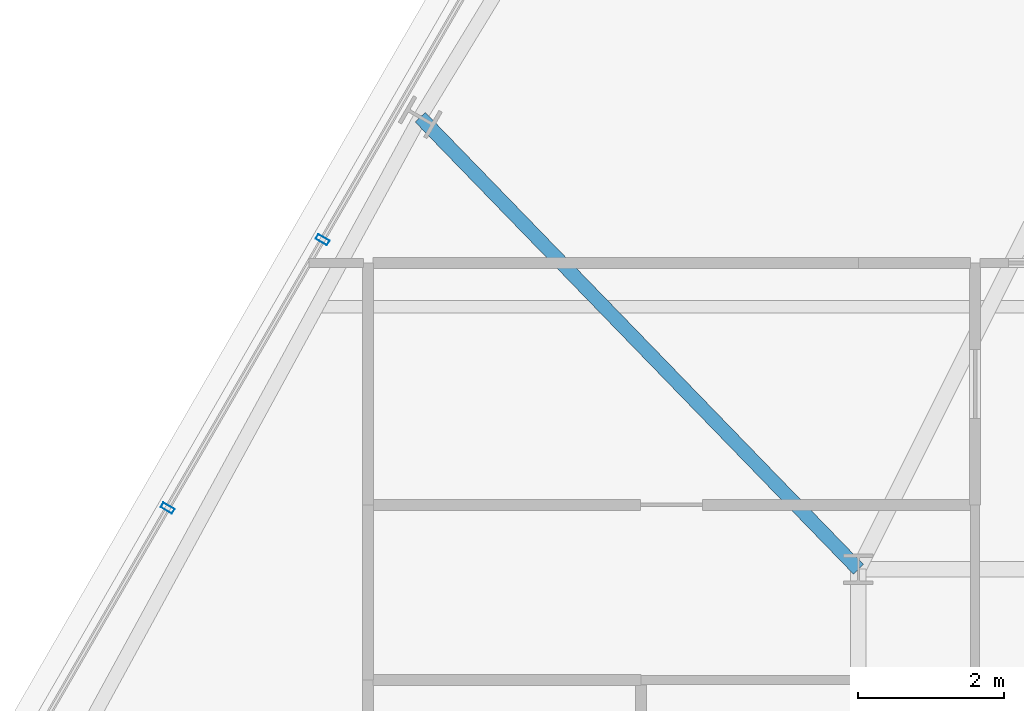
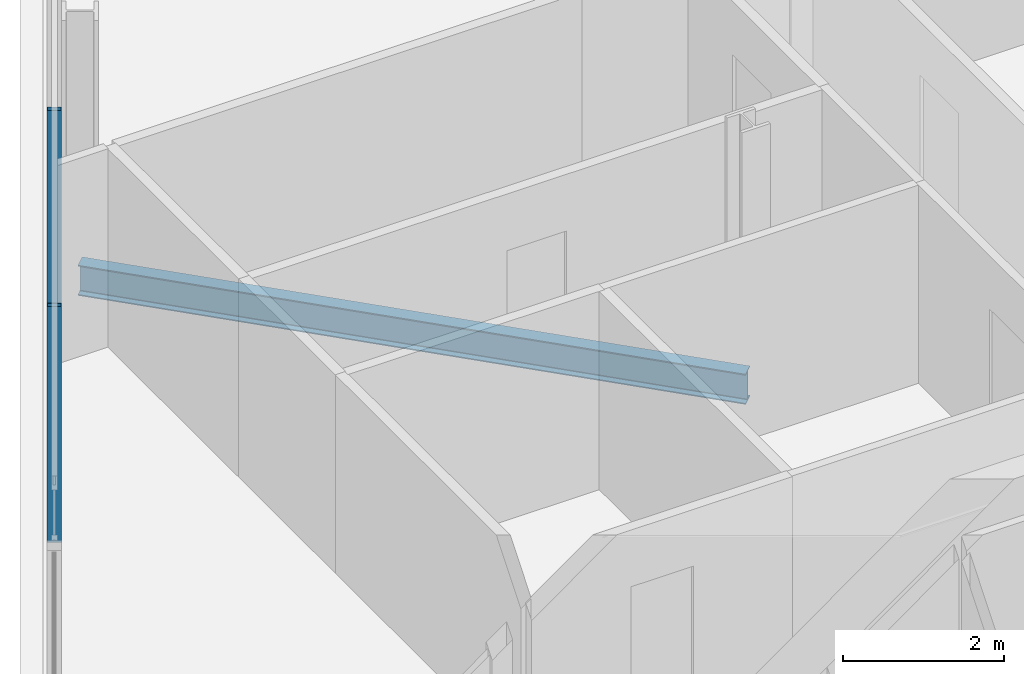
# One storey, part 10 of 34: 2 members, 1 beam, 1 element without a shape of its own.
"""IFC4 building model written with IfcOpenShell, lengths in metres."""

import ifcopenshell
import ifcopenshell.guid

model = None  # the IFC model being written
_history = None  # IfcOwnerHistory: only IFC2X3 demands one
_inside = {}  # id of a spatial element -> (the spatial element, [elements in it])
_under = {}  # id of a project, library or spatial element -> (it, [spatial elements below it])
_declared = {}  # id of a project -> (the project, [libraries it declares])
_typed = {}  # id of a type object -> (the type object, [elements of that type])
_made_of = {}  # id of a material, layer set ... -> (it, [elements and type objects made of it])


def new_model(schema):
    """Start an empty IFC model of exactly this schema.

    Asked for "IFC4X3", IfcOpenShell would pick the latest addendum, in which some entities
    have other attributes; the version numbers below select the first issue.
    IFC2X3 requires an IfcOwnerHistory on every rooted entity: one is made here for all.
    """
    global model, _history
    if schema == "IFC4X3":
        model = ifcopenshell.file(schema_version=(4, 3, 0, 0))
    else:
        model = ifcopenshell.file(schema=schema)
    _inside.clear()
    _under.clear()
    _declared.clear()
    _typed.clear()
    _made_of.clear()
    _history = None
    if model.schema == "IFC2X3":
        org = make("IfcOrganization", Name="unknown")
        user = make(
            "IfcPersonAndOrganization",
            ThePerson=make("IfcPerson", FamilyName="unknown"),
            TheOrganization=org,
        )
        app = make(
            "IfcApplication",
            ApplicationDeveloper=org,
            Version="unknown",
            ApplicationFullName="unknown",
            ApplicationIdentifier="unknown",
        )
        _history = make(
            "IfcOwnerHistory",
            OwningUser=user,
            OwningApplication=app,
            ChangeAction="ADDED",
            CreationDate=0,
        )
    return model


def make(cls, **values):
    """One entity of the class cls with the attributes given. An attribute that is None is left unset."""
    return model.create_entity(
        cls, **{name: value for name, value in values.items() if value is not None}
    )


def rooted(cls, **values):
    """An entity with a GlobalId (a new one), such as an element, a storey or a relation."""
    return make(cls, GlobalId=ifcopenshell.guid.new(), OwnerHistory=_history, **values)


def si_unit(unit_type, name, prefix=None):
    """IfcSIUnit, for example si_unit("LENGTHUNIT", "METRE", prefix="MILLI")."""
    return make("IfcSIUnit", UnitType=unit_type, Prefix=prefix, Name=name)


def assignment(units):
    """IfcUnitAssignment: the units of a project."""
    return None if units is None else make("IfcUnitAssignment", Units=units)


def point(xyz):
    """IfcCartesianPoint."""
    return None if xyz is None else make("IfcCartesianPoint", Coordinates=xyz)


def direction(xyz):
    """IfcDirection."""
    return None if xyz is None else make("IfcDirection", DirectionRatios=xyz)


def frame(location, z_axis=None, x_axis=None):
    """IfcAxis2Placement3D, a coordinate frame: its origin and axes. An axis left out is left unset."""
    return make(
        "IfcAxis2Placement3D",
        Location=point(location),
        Axis=direction(z_axis),
        RefDirection=direction(x_axis),
    )


def frame_2d(location, x_axis=None):
    """IfcAxis2Placement2D, a coordinate frame in the plane: its origin and x axis."""
    return make(
        "IfcAxis2Placement2D", Location=point(location), RefDirection=direction(x_axis)
    )


def origin():
    """The frame at (0, 0, 0) with its axes left unset."""
    return frame((0.0, 0.0, 0.0))


def origin_2d():
    """The frame at (0, 0) in the plane with its x axis left unset."""
    return frame_2d((0.0, 0.0))


def place(relative_to, where):
    """IfcLocalPlacement: puts the frame where relative to a parent placement (None: the world)."""
    return make(
        "IfcLocalPlacement", PlacementRelTo=relative_to, RelativePlacement=where
    )


def context(
    kind, dimensions, precision=None, world=None, true_north=None, identifier=None
):
    """IfcGeometricRepresentationContext, for example the 3D "Model" context."""
    return make(
        "IfcGeometricRepresentationContext",
        ContextIdentifier=identifier,
        ContextType=kind,
        CoordinateSpaceDimension=dimensions,
        Precision=precision,
        WorldCoordinateSystem=world,
        TrueNorth=true_north,
    )


def subcontext(parent, identifier, kind, view, scale=None):
    """IfcGeometricRepresentationSubContext, for example "Body" below "Model"."""
    return make(
        "IfcGeometricRepresentationSubContext",
        ContextIdentifier=identifier,
        ContextType=kind,
        ParentContext=parent,
        TargetScale=scale,
        TargetView=view,
    )


def project(units=None, contexts=None):
    """IfcProject with its units and contexts."""
    return rooted(
        "IfcProject",
        Name="project",
        RepresentationContexts=contexts,
        UnitsInContext=assignment(units),
    )


def spatial(cls, under=None, at=None, **own):
    """A site, building, storey or space (cls), placed at a placement, below another one or the project."""
    s = rooted(cls, ObjectPlacement=at, **own)
    if under is not None:
        _under.setdefault(under.id(), (under, []))[1].append(s)
    return s


def profile(cls, at=None, kind="AREA", **sizes):
    """A parametric profile (cls). Its sizes go by their IFC names, for example OverallWidth=200.0."""
    return make(cls, ProfileType=kind, Position=at, **sizes)


def hollow_rectangle(**sizes):
    """IfcRectangleHollowProfileDef."""
    return profile("IfcRectangleHollowProfileDef", **sizes)


def i_section(**sizes):
    """IfcIShapeProfileDef."""
    return profile("IfcIShapeProfileDef", **sizes)


def extrude(swept, where, along, depth):
    """IfcExtrudedAreaSolid: the profile swept, set in the frame where, extruded along a direction by depth."""
    return make(
        "IfcExtrudedAreaSolid",
        SweptArea=swept,
        Position=where,
        ExtrudedDirection=direction(along),
        Depth=depth,
    )


def shape(context_of_items, identifier, shape_type, items):
    """IfcShapeRepresentation: the items that make up one representation, for example the "Body"."""
    return make(
        "IfcShapeRepresentation",
        ContextOfItems=context_of_items,
        RepresentationIdentifier=identifier,
        RepresentationType=shape_type,
        Items=items,
    )


def material(Name=None, Category=None):
    """IfcMaterial."""
    return make("IfcMaterial", Name=Name, Category=Category)


def layer(
    of_material, thickness, ventilated=None, Name=None, Category=None, Priority=None
):
    """IfcMaterialLayer: one layer of a wall or slab, of a material (None: an air gap)."""
    return make(
        "IfcMaterialLayer",
        Material=of_material,
        LayerThickness=thickness,
        IsVentilated=ventilated,
        Name=Name,
        Category=Category,
        Priority=Priority,
    )


def layer_set(layers, Name=None):
    """IfcMaterialLayerSet."""
    return make("IfcMaterialLayerSet", MaterialLayers=layers, LayerSetName=Name)


def material_profile(
    of_material, cross_section, Name=None, Category=None, Priority=None
):
    """IfcMaterialProfile: a cross section and its material."""
    return make(
        "IfcMaterialProfile",
        Name=Name,
        Material=of_material,
        Profile=cross_section,
        Priority=Priority,
        Category=Category,
    )


def profile_set(profiles, Name=None, composite=None):
    """IfcMaterialProfileSet."""
    return make(
        "IfcMaterialProfileSet",
        Name=Name,
        MaterialProfiles=profiles,
        CompositeProfile=composite,
    )


def made_of(thing, what):
    """Note that an element or type object is made of a material, layer set ...; save() writes the relation."""
    if what is not None:
        _made_of.setdefault(what.id(), (what, []))[1].append(thing)
    return thing


def type_object(cls, material=None, **own):
    """A type object (cls), such as IfcWallType, which elements share."""
    return made_of(rooted(cls, **own), material)


def element(
    cls,
    number,
    at=None,
    inside=None,
    cuts=None,
    type_object=None,
    material=None,
    context=None,
    identifier="Body",
    shape_type=None,
    held_by="IfcProductDefinitionShape",
    body=None,
    shapes=None,
    **own,
):
    """One element of the class cls, such as IfcWall. Its Tag is "e" and its number.

    at: its placement. inside: the storey or other place that contains it. cuts: it is an
    opening in that element (IfcRelVoidsElement). A single representation is given by context,
    identifier, shape_type and body (its items); several are given by shapes. held_by: the class
    of the entity that holds the representations. save() writes the other relations.
    """
    e = rooted(cls, Tag="e%d" % number, ObjectPlacement=at, **own)
    if body is not None:
        shapes = [shape(context, identifier, shape_type, body)]
    if shapes is not None:
        e.Representation = make(held_by, Representations=shapes)
    if inside is not None:
        _inside.setdefault(inside.id(), (inside, []))[1].append(e)
    if cuts is not None:
        rooted(
            "IfcRelVoidsElement", RelatingBuildingElement=cuts, RelatedOpeningElement=e
        )
    if type_object is not None:
        _typed.setdefault(type_object.id(), (type_object, []))[1].append(e)
    return made_of(e, material)


def aggregate(whole, parts):
    """IfcRelAggregates: a whole, such as a stair, and the parts it consists of."""
    return rooted("IfcRelAggregates", RelatingObject=whole, RelatedObjects=parts)


def save(model, path):
    """Write the relations noted so far, then the file.

    IfcRelAggregates (storeys below a building ...), IfcRelContainedInSpatialStructure (elements
    in a storey), IfcRelDefinesByType, IfcRelAssociatesMaterial and IfcRelDeclares: one each for
    every whole, place, type object, material and project.
    """
    for whole, parts in _under.values():
        aggregate(whole, parts)
    for where, things in _inside.values():
        rooted(
            "IfcRelContainedInSpatialStructure",
            RelatedElements=things,
            RelatingStructure=where,
        )
    for kind, things in _typed.values():
        rooted("IfcRelDefinesByType", RelatedObjects=things, RelatingType=kind)
    for what, things in _made_of.values():
        rooted("IfcRelAssociatesMaterial", RelatedObjects=things, RelatingMaterial=what)
    for by, libraries in _declared.values():
        rooted("IfcRelDeclares", RelatingContext=by, RelatedDefinitions=libraries)
    model.write(path)


model = new_model("IFC4")

# Units and contexts
model_context = context("Model", 3, precision=1e-05, world=origin(), true_north=direction((0.0, 1.0)))
body_context = subcontext(model_context, "Body", "Model", "MODEL_VIEW")
ifc_project = project(units=[si_unit("LENGTHUNIT", "METRE"), si_unit("AREAUNIT", "SQUARE_METRE"), si_unit("VOLUMEUNIT", "CUBIC_METRE"), si_unit("PLANEANGLEUNIT", "RADIAN"), si_unit("MASSUNIT", "GRAM", prefix="KILO")], contexts=[model_context])

# Site, building, storey
site_placement = place(None, origin())
site = spatial("IfcSite", under=ifc_project, at=site_placement, CompositionType="ELEMENT")
building_placement = place(site_placement, origin())
building = spatial("IfcBuilding", under=site, at=building_placement, Name="Ndaravel Arena Tower", CompositionType="ELEMENT")
storey_placement = place(building_placement, frame((0.0, 0.0, 191.60009765625)))
storey = spatial("IfcBuildingStorey", under=building, at=storey_placement, Name="L46", CompositionType="ELEMENT", Elevation=191.60009765625)

# Beam
ifc_material_1 = material(Name="Steel S355", Category="steel")
ifc_material_profile_1 = material_profile(ifc_material_1, i_section(OverallWidth=0.19140625, OverallDepth=0.4599609375, WebThickness=0.010009765625, FlangeThickness=0.01611328125, FilletRadius=0.01025390625, at=origin_2d()), Name="UB 457x191x82")
ifc_profile_set_1 = profile_set([ifc_material_profile_1], Name="Steel S355")
beam_type = type_object("IfcBeamType", Name="BM-GIRD-UB457", PredefinedType="BEAM", material=ifc_profile_set_1)
beam_placement = place(storey_placement, frame((28.189697265625, 29.400146484375, -0.4501953125), z_axis=(0.696023073464, -0.718019415619, 0.0), x_axis=(0.718019415619, 0.696023073464, 0.0)))
element("IfcBeam", 1, at=beam_placement, inside=storey, type_object=beam_type, Name="L46 Radial Floor Girder FG-19", PredefinedType="BEAM", context=body_context, shape_type="SweptSolid", body=[
    extrude(i_section(OverallWidth=0.19140625, OverallDepth=0.4599609375, WebThickness=0.010009765625, FlangeThickness=0.01611328125, FilletRadius=0.01025390625, at=origin_2d()), origin(), (0.0, 0.0, 1.0), 8.63525390625),
])

# Curtain wall, members
ifc_material_2 = material(Name="Aluminium", Category="aluminium")
ifc_layer = layer(ifc_material_2, 0.179931640625)
ifc_layer_set = layer_set([ifc_layer], Name="Aluminium")
curtain_wall_type = type_object("IfcCurtainWallType", Name="CW-SYS-03", PredefinedType="NOTDEFINED", material=ifc_layer_set)
curtain_wall_placement = place(storey_placement, origin())
curtain_wall = element("IfcCurtainWall", 2, at=curtain_wall_placement, inside=storey, type_object=curtain_wall_type, Name="L46 Faceted Crystal Curtain Wall CW-L46-E05", PredefinedType="NOTDEFINED")
ifc_material_3 = material(Name="Aluminium", Category="aluminium")
ifc_material_profile_2 = material_profile(ifc_material_3, hollow_rectangle(XDim=0.074951171875, YDim=0.179931640625, WallThickness=0.00390625, at=origin_2d()), Name="CW MULLION 75x180x4")
ifc_profile_set_2 = profile_set([ifc_material_profile_2], Name="Aluminium")
member_type = type_object("IfcMemberType", Name="MEM-CW-MUL180", PredefinedType="MULLION", material=ifc_profile_set_2)
member_1_placement = place(storey_placement, frame((26.849853515625, 27.719482421875, 0.0), z_axis=(0.0, 0.0, 1.0), x_axis=(-0.5, -0.866025403784, 0.0)))
member_1 = element("IfcMember", 3, at=member_1_placement, type_object=member_type, Name="CW-L46-E05 Mullion 05", PredefinedType="MULLION", context=body_context, shape_type="SweptSolid", body=[
    extrude(hollow_rectangle(XDim=0.074951171875, YDim=0.179931640625, WallThickness=0.00390625, at=origin_2d()), origin(), (0.0, 0.0, 1.0), 3.579833984375),
])
member_2_placement = place(storey_placement, frame((24.724609375, 24.0380859375, 0.0), z_axis=(0.0, 0.0, 1.0), x_axis=(-0.5, -0.866025403784, 0.0)))
member_2 = element("IfcMember", 4, at=member_2_placement, type_object=member_type, Name="CW-L46-E05 Mullion 06", PredefinedType="MULLION", context=body_context, shape_type="SweptSolid", body=[
    extrude(hollow_rectangle(XDim=0.074951171875, YDim=0.179931640625, WallThickness=0.00390625, at=origin_2d()), origin(), (0.0, 0.0, 1.0), 3.579833984375),
])
aggregate(curtain_wall, [member_1, member_2])

save(model, "model.ifc")
